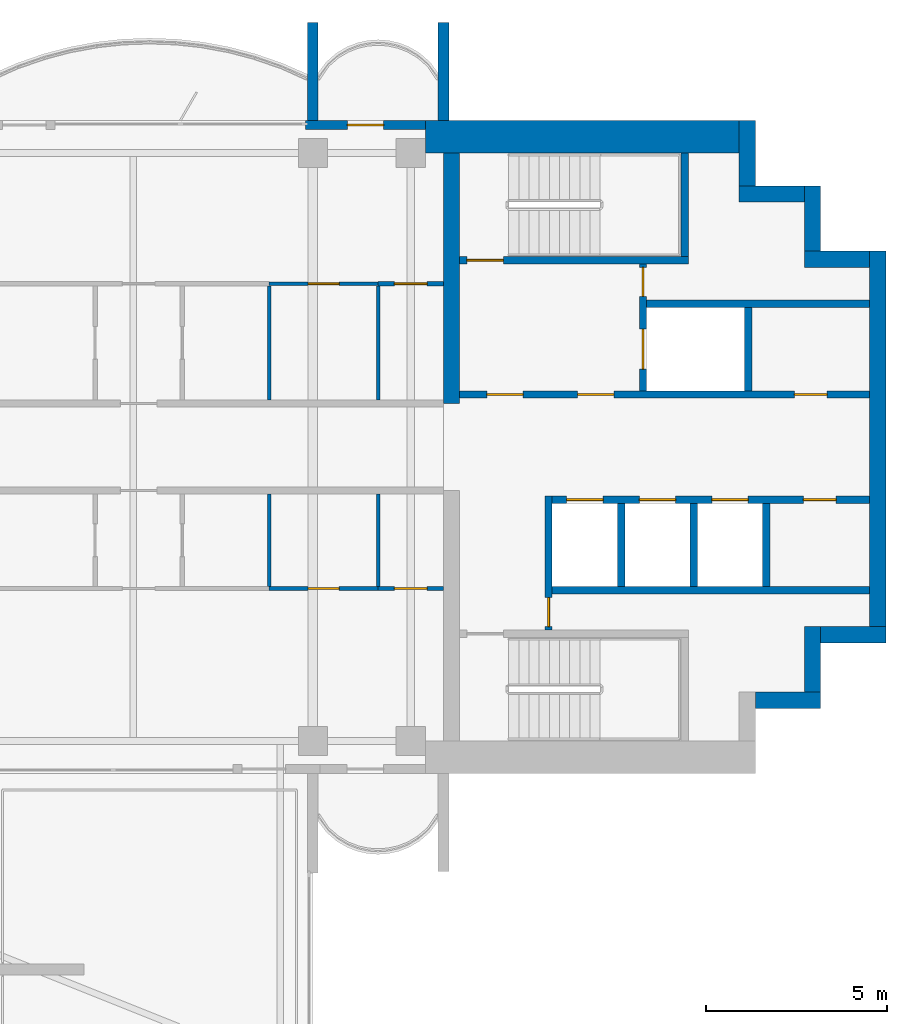
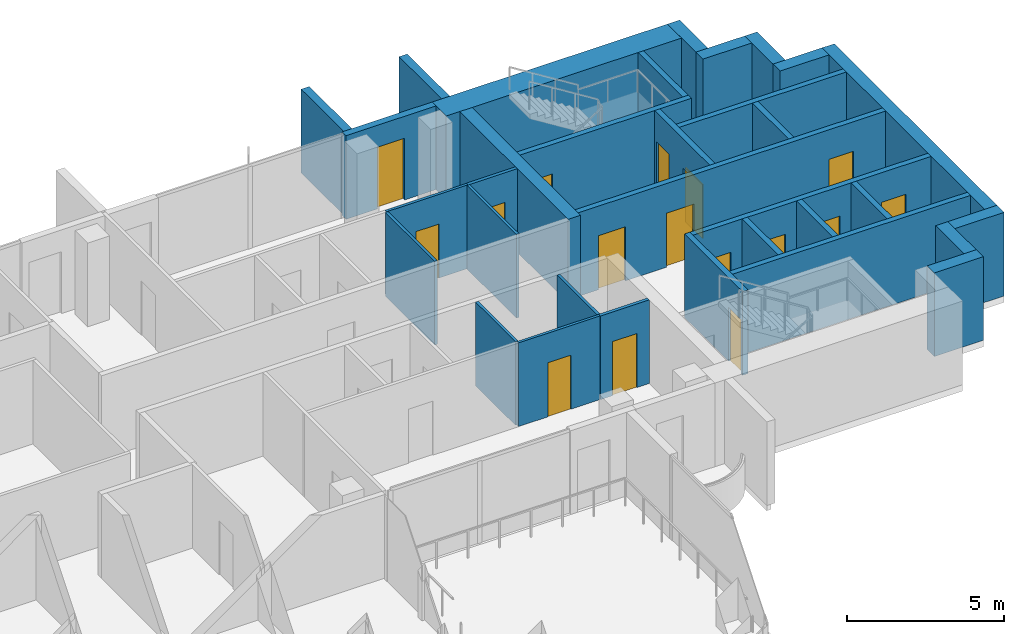
# One storey, part 11 of 16: 33 walls, 16 doors, 16 openings.
"""IFC4 building model written with IfcOpenShell, lengths in metres."""

from ifc_helpers import new_model, si_unit, direction, frame, frame_2d, origin, place, context, subcontext, project, spatial, rectangle, extrude, material, layer, layer_set, type_object, element, fill, save


model = new_model("IFC4")

# Units and contexts
model_context = context("Model", 3, precision=1e-05, world=origin(), true_north=direction((0.0, 1.0)))
body_context = subcontext(model_context, "Body", "Model", "MODEL_VIEW")
ifc_project = project(units=[si_unit("LENGTHUNIT", "METRE"), si_unit("AREAUNIT", "SQUARE_METRE"), si_unit("VOLUMEUNIT", "CUBIC_METRE"), si_unit("PLANEANGLEUNIT", "RADIAN"), si_unit("MASSUNIT", "GRAM", prefix="KILO")], contexts=[model_context])

# Site, building, storey
site_placement = place(None, origin())
site = spatial("IfcSite", under=ifc_project, at=site_placement, CompositionType="ELEMENT")
building_placement = place(site_placement, origin())
building = spatial("IfcBuilding", under=site, at=building_placement, Name="Perihelion Cross Residences", CompositionType="ELEMENT")
storey_placement = place(building_placement, frame((0.0, 0.0, 246.5)))
storey = spatial("IfcBuildingStorey", under=building, at=storey_placement, Name="L62", CompositionType="ELEMENT", Elevation=246.5)

# Wall, opening, door
ifc_material_1 = material(Name="Concrete C30/37, bronze-clad", Category="concrete")
ifc_layer_1 = layer(ifc_material_1, 0.25)
ifc_layer_set_1 = layer_set([ifc_layer_1], Name="Bronze-clad pier wall 250")
wall_type_1 = type_object("IfcWallType", Name="Bronze-clad pier wall 250", PredefinedType="SOLIDWALL", material=ifc_layer_set_1)
wall_1_placement = place(storey_placement, frame((21.10009765625, 8.875, 0.0), z_axis=(0.0, 0.0, 1.0), x_axis=(-1.0, 0.0, 0.0)))
wall_1 = element("IfcWall", 1, at=wall_1_placement, inside=storey, type_object=wall_type_1, Name="Wall FW1 L62 east side north bay 1 pier", PredefinedType="SOLIDWALL", context=body_context, shape_type="SweptSolid", body=[
    extrude(rectangle(XDim=3.300048828125, YDim=0.25, at=frame_2d((1.64990234375, 0.0))), origin(), (0.0, 0.0, 1.0), 3.25),
])
opening_1_placement = place(wall_1_placement, frame((1.14990234375, 0.0, 0.0)))
opening_1 = element("IfcOpeningElement", 2, at=opening_1_placement, cuts=wall_1, Name="Opening L62.E01", PredefinedType="OPENING", context=body_context, shape_type="SweptSolid", body=[
    extrude(rectangle(XDim=1.0, YDim=2.39990234375, at=frame_2d((0.5, 1.199951171875))), frame((0.0, 0.135009765625, 0.0), z_axis=(0.0, -1.0, 0.0), x_axis=(1.0, 0.0, 0.0)), (0.0, 0.0, 1.0), 0.27001953125),
])
ifc_material_2 = material(Name="Bronze anodised aluminium, glazed", Category="aluminium")
door_type_1 = type_object("IfcDoorType", Name="Balcony door 1000 x 2400", OperationType="NOTDEFINED", PredefinedType="DOOR", material=ifc_material_2)
door_1_placement = place(opening_1_placement, origin())
door_1 = element("IfcDoor", 3, at=door_1_placement, inside=storey, type_object=door_type_1, Name="Door L62.E01 east side north bay 1", OperationType="SINGLE_SWING_LEFT", OverallHeight=2.39990234375, OverallWidth=1.0, PredefinedType="DOOR", context=body_context, shape_type="SweptSolid", body=[
    extrude(rectangle(XDim=1.0, YDim=2.39990234375, at=frame_2d((0.5, 1.199951171875))), frame((0.0, 0.02490234375, 0.0), z_axis=(0.0, -1.0, 0.0), x_axis=(1.0, 0.0, 0.0)), (0.0, 0.0, 1.0), 0.050048828125),
])
fill(opening_1, door_1)

# Walls
ifc_material_3 = material(Name="Concrete C60/75", Category="concrete")
ifc_layer_2 = layer(ifc_material_3, 0.449951171875)
ifc_layer_set_2 = layer_set([ifc_layer_2], Name="Core wall, inner 450")
wall_type_2 = type_object("IfcWallType", Name="Core wall, inner 450", PredefinedType="SHEAR", material=ifc_layer_set_2)
wall_2_placement = place(storey_placement, frame((21.824951171875, 1.199951171875, 0.0), z_axis=(0.0, 0.0, 1.0), x_axis=(0.0, 1.0, 0.0)))
element("IfcWall", 4, at=wall_2_placement, inside=storey, type_object=wall_type_2, Name="East core core wall, inner", PredefinedType="SHEAR", context=body_context, shape_type="SweptSolid", body=[
    extrude(rectangle(XDim=6.900146484375, YDim=0.449951171875, at=frame_2d((3.4501953125, 0.0))), origin(), (0.0, 0.0, 1.0), 3.25),
])
ifc_material_4 = material(Name="Concrete C60/75", Category="concrete")
ifc_layer_3 = layer(ifc_material_4, 0.449951171875)
ifc_layer_set_3 = layer_set([ifc_layer_3], Name="Core wall, outer 450")
wall_type_3 = type_object("IfcWallType", Name="Core wall, outer 450", PredefinedType="SHEAR", material=ifc_layer_set_3)
for number, where, z_axis, x_axis, name in (
    (5, (30.199951171875, -6.97509765625, 0.0), (0.0, 0.0, 1.0), (1.0, 0.0, 0.0), "East core core wall, outer"),
    (6, (31.77490234375, -6.75, 0.0), (0.0, 0.0, 1.0), (0.0, 1.0, 0.0), "East core core wall, outer"),
    (7, (32.0, -5.175048828125, 0.0), (0.0, 0.0, 1.0), (1.0, 0.0, 0.0), "East core core wall, outer"),
):
    element("IfcWall", number, at=place(storey_placement, frame(where, z_axis=z_axis, x_axis=x_axis)), inside=storey, type_object=wall_type_3, Name=name, PredefinedType="SHEAR", context=body_context, shape_type="SweptSolid", body=[
        extrude(rectangle(XDim=1.800048828125, YDim=0.449951171875, at=frame_2d((0.89990234375, 0.0))), origin(), (0.0, 0.0, 1.0), 3.25),
    ])
wall_3_placement = place(storey_placement, frame((33.574951171875, -4.949951171875, 0.0), z_axis=(0.0, 0.0, 1.0), x_axis=(0.0, 1.0, 0.0)))
element("IfcWall", 8, at=wall_3_placement, inside=storey, type_object=wall_type_3, Name="East core core wall, outer", PredefinedType="SHEAR", context=body_context, shape_type="SweptSolid", body=[
    extrude(rectangle(XDim=10.349853515625, YDim=0.449951171875, at=frame_2d((5.1748046875, 0.0))), origin(), (0.0, 0.0, 1.0), 3.25),
])
for number, where, z_axis, x_axis, name in (
    (9, (31.550048828125, 5.175048828125, 0.0), (0.0, 0.0, 1.0), (1.0, 0.0, 0.0), "East core core wall, outer"),
    (10, (31.77490234375, 5.39990234375, 0.0), (0.0, 0.0, 1.0), (0.0, 1.0, 0.0), "East core core wall, outer"),
    (11, (29.75, 6.97509765625, 0.0), (0.0, 0.0, 1.0), (1.0, 0.0, 0.0), "East core core wall, outer"),
    (12, (29.97509765625, 7.199951171875, 0.0), (0.0, 0.0, 1.0), (0.0, 1.0, 0.0), "East core core wall, outer"),
):
    element("IfcWall", number, at=place(storey_placement, frame(where, z_axis=z_axis, x_axis=x_axis)), inside=storey, type_object=wall_type_3, Name=name, PredefinedType="SHEAR", context=body_context, shape_type="SweptSolid", body=[
        extrude(rectangle(XDim=1.800048828125, YDim=0.449951171875, at=frame_2d((0.89990234375, 0.0))), origin(), (0.0, 0.0, 1.0), 3.25),
    ])
ifc_material_5 = material(Name="Concrete C60/75", Category="concrete")
ifc_layer_4 = layer(ifc_material_5, 0.89990234375)
ifc_layer_set_4 = layer_set([ifc_layer_4], Name="Core wall, outer 900")
wall_type_4 = type_object("IfcWallType", Name="Core wall, outer 900", PredefinedType="SHEAR", material=ifc_layer_set_4)
wall_4_placement = place(storey_placement, frame((21.10009765625, 8.550048828125, 0.0), z_axis=(0.0, 0.0, 1.0), x_axis=(1.0, 0.0, 0.0)))
element("IfcWall", 13, at=wall_4_placement, inside=storey, type_object=wall_type_4, Name="East core core wall, outer", PredefinedType="SHEAR", context=body_context, shape_type="SweptSolid", body=[
    extrude(rectangle(XDim=8.64990234375, YDim=0.89990234375, at=frame_2d((4.324951171875, 0.0))), origin(), (0.0, 0.0, 1.0), 3.25),
])

# Wall, opening, door
ifc_material_6 = material(Name="Concrete C50/60", Category="concrete")
ifc_layer_5 = layer(ifc_material_6, 0.199951171875)
ifc_layer_set_5 = layer_set([ifc_layer_5], Name="Lobby wall 200")
wall_type_5 = type_object("IfcWallType", Name="Lobby wall 200", PredefinedType="SOLIDWALL", material=ifc_layer_set_5)
wall_5_placement = place(storey_placement, frame((24.5, -5.050048828125, 0.0), z_axis=(0.0, 0.0, 1.0), x_axis=(0.0, 1.0, 0.0)))
wall_5 = element("IfcWall", 14, at=wall_5_placement, inside=storey, type_object=wall_type_5, Name="East core lobby wall", PredefinedType="SOLIDWALL", context=body_context, shape_type="SweptSolid", body=[
    extrude(rectangle(XDim=3.699951171875, YDim=0.199951171875, at=frame_2d((1.85009765625, 0.0))), origin(), (0.0, 0.0, 1.0), 3.25),
])
opening_2_placement = place(wall_5_placement, frame((0.10009765625, 0.0, 0.0)))
opening_2 = element("IfcOpeningElement", 15, at=opening_2_placement, cuts=wall_5, Name="Opening L62.C08", PredefinedType="OPENING", context=body_context, shape_type="SweptSolid", body=[
    extrude(rectangle(XDim=0.800048828125, YDim=2.10009765625, at=frame_2d((0.39990234375, 1.050048828125))), frame((0.0, 0.10986328125, 0.0), z_axis=(0.0, -1.0, 0.0), x_axis=(1.0, 0.0, 0.0)), (0.0, 0.0, 1.0), 0.219970703125),
])
ifc_material_7 = material(Name="Steel, powder coated", Category="steel")
door_type_2 = type_object("IfcDoorType", Name="Riser door 800", OperationType="SINGLE_SWING_LEFT", PredefinedType="DOOR", material=ifc_material_7)
door_2_placement = place(opening_2_placement, origin())
door_2 = element("IfcDoor", 16, at=door_2_placement, inside=storey, type_object=door_type_2, Name="East core riser door", OperationType="SINGLE_SWING_LEFT", OverallHeight=2.10009765625, OverallWidth=0.800048828125, PredefinedType="DOOR", context=body_context, shape_type="SweptSolid", body=[
    extrude(rectangle(XDim=0.800048828125, YDim=2.10009765625, at=frame_2d((0.39990234375, 1.050048828125))), frame((0.0, 0.02490234375, 0.0), z_axis=(0.0, -1.0, 0.0), x_axis=(1.0, 0.0, 0.0)), (0.0, 0.0, 1.0), 0.050048828125),
])
fill(opening_2, door_2)

ifc_material_8 = material(Name="Plasterboard partition")
ifc_layer_6 = layer(ifc_material_8, 0.1201171875)
ifc_layer_set_6 = layer_set([ifc_layer_6], Name="Partition wall 120")
wall_type_6 = type_object("IfcWallType", Name="Partition wall 120", PredefinedType="PARTITIONING", material=ifc_layer_set_6)
wall_6_placement = place(storey_placement, frame((19.800048828125, 4.5, 0.0), z_axis=(0.0, 0.0, 1.0), x_axis=(1.0, 0.0, 0.0)))
wall_6 = element("IfcWall", 17, at=wall_6_placement, inside=storey, type_object=wall_type_6, Name="Partition L62 W029", PredefinedType="PARTITIONING", context=body_context, shape_type="SweptSolid", body=[
    extrude(rectangle(XDim=1.800048828125, YDim=0.1201171875, at=frame_2d((0.89990234375, 0.0))), origin(), (0.0, 0.0, 1.0), 3.25),
])
opening_3_placement = place(wall_6_placement, frame((0.449951171875, 0.0, 0.0)))
opening_3 = element("IfcOpeningElement", 18, at=opening_3_placement, cuts=wall_6, Name="Opening L62.A05", PredefinedType="OPENING", context=body_context, shape_type="SweptSolid", body=[
    extrude(rectangle(XDim=0.89990234375, YDim=2.10009765625, at=frame_2d((0.449951171875, 1.050048828125))), frame((0.0, 0.070068359375, 0.0), z_axis=(0.0, -1.0, 0.0), x_axis=(1.0, 0.0, 0.0)), (0.0, 0.0, 1.0), 0.14013671875),
])
ifc_material_9 = material(Name="Timber door leaf", Category="wood")
door_type_3 = type_object("IfcDoorType", Name="Interior room door 900 x 2100", OperationType="SINGLE_SWING_LEFT", PredefinedType="DOOR", material=ifc_material_9)
door_3_placement = place(opening_3_placement, origin())
door_3 = element("IfcDoor", 19, at=door_3_placement, inside=storey, type_object=door_type_3, Name="Door L62.A05", OperationType="SINGLE_SWING_LEFT", OverallHeight=2.10009765625, OverallWidth=0.89990234375, PredefinedType="DOOR", context=body_context, shape_type="SweptSolid", body=[
    extrude(rectangle(XDim=0.89990234375, YDim=2.10009765625, at=frame_2d((0.449951171875, 1.050048828125))), frame((0.0, 0.02490234375, 0.0), z_axis=(0.0, -1.0, 0.0), x_axis=(1.0, 0.0, 0.0)), (0.0, 0.0, 1.0), 0.050048828125),
])
fill(opening_3, door_3)

wall_7_placement = place(storey_placement, frame((21.60009765625, -3.89990234375, 0.0), z_axis=(0.0, 0.0, 1.0), x_axis=(-1.0, 0.0, 0.0)))
wall_7 = element("IfcWall", 20, at=wall_7_placement, inside=storey, type_object=wall_type_6, Name="Partition L62 W038", PredefinedType="PARTITIONING", context=body_context, shape_type="SweptSolid", body=[
    extrude(rectangle(XDim=1.800048828125, YDim=0.1201171875, at=frame_2d((0.89990234375, 0.0))), origin(), (0.0, 0.0, 1.0), 3.25),
])
opening_4_placement = place(wall_7_placement, frame((0.449951171875, 0.0, 0.0)))
opening_4 = element("IfcOpeningElement", 21, at=opening_4_placement, cuts=wall_7, Name="Opening L62.A12", PredefinedType="OPENING", context=body_context, shape_type="SweptSolid", body=[
    extrude(rectangle(XDim=0.89990234375, YDim=2.10009765625, at=frame_2d((0.449951171875, 1.050048828125))), frame((0.0, 0.070068359375, 0.0), z_axis=(0.0, -1.0, 0.0), x_axis=(1.0, 0.0, 0.0)), (0.0, 0.0, 1.0), 0.14013671875),
])
door_4_placement = place(opening_4_placement, origin())
door_4 = element("IfcDoor", 22, at=door_4_placement, inside=storey, type_object=door_type_3, Name="Door L62.A12", OperationType="SINGLE_SWING_LEFT", OverallHeight=2.10009765625, OverallWidth=0.89990234375, PredefinedType="DOOR", context=body_context, shape_type="SweptSolid", body=[
    extrude(rectangle(XDim=0.89990234375, YDim=2.10009765625, at=frame_2d((0.449951171875, 1.050048828125))), frame((0.0, 0.02490234375, 0.0), z_axis=(0.0, -1.0, 0.0), x_axis=(1.0, 0.0, 0.0)), (0.0, 0.0, 1.0), 0.050048828125),
])
fill(opening_4, door_4)

# Walls
ifc_material_10 = material(Name="Precast concrete C50/60", Category="concrete")
ifc_layer_7 = layer(ifc_material_10, 0.300048828125)
ifc_layer_set_7 = layer_set([ifc_layer_7], Name="Precast concrete C50/60 blade wall 300")
wall_type_7 = type_object("IfcWallType", Name="Precast concrete C50/60 blade wall 300", PredefinedType="SOLIDWALL", material=ifc_layer_set_7)
for number, where, z_axis, x_axis, name in (
    (23, (18.0, 9.0, 0.0), (0.0, 0.0, 1.0), (0.0, 1.0, 0.0), "Wall BL1 L62 no. 11"),
    (24, (21.60009765625, 9.0, 0.0), (0.0, 0.0, 1.0), (0.0, 1.0, 0.0), "Wall BL1 L62 no. 13"),
):
    element("IfcWall", number, at=place(storey_placement, frame(where, z_axis=z_axis, x_axis=x_axis)), inside=storey, type_object=wall_type_7, Name=name, PredefinedType="SOLIDWALL", context=body_context, shape_type="SweptSolid", body=[
        extrude(rectangle(XDim=2.699951171875, YDim=0.300048828125, at=frame_2d((1.35009765625, 0.0))), origin(), (0.0, 0.0, 1.0), 3.25),
    ])

# Wall, openings, doors
ifc_material_11 = material(Name="Concrete C50/60", Category="concrete")
ifc_layer_8 = layer(ifc_material_11, 0.199951171875)
ifc_layer_set_8 = layer_set([ifc_layer_8], Name="Shaft wall 200")
wall_type_8 = type_object("IfcWallType", Name="Shaft wall 200", PredefinedType="SOLIDWALL", material=ifc_layer_set_8)
wall_8_placement = place(storey_placement, frame((22.050048828125, 1.449951171875, 0.0), z_axis=(0.0, 0.0, 1.0), x_axis=(1.0, 0.0, 0.0)))
wall_8 = element("IfcWall", 25, at=wall_8_placement, inside=storey, type_object=wall_type_8, Name="East core shaft wall", PredefinedType="SOLIDWALL", context=body_context, shape_type="SweptSolid", body=[
    extrude(rectangle(XDim=11.300048828125, YDim=0.199951171875, at=frame_2d((5.64990234375, 0.0))), origin(), (0.0, 0.0, 1.0), 3.25),
])
opening_5_placement = place(wall_8_placement, frame((0.75, 0.0, 0.0)))
opening_5 = element("IfcOpeningElement", 26, at=opening_5_placement, cuts=wall_8, Name="Opening L62.C07", PredefinedType="OPENING", context=body_context, shape_type="SweptSolid", body=[
    extrude(rectangle(XDim=1.0, YDim=2.10009765625, at=frame_2d((0.5, 1.050048828125))), frame((0.0, 0.10986328125, 0.0), z_axis=(0.0, -1.0, 0.0), x_axis=(1.0, 0.0, 0.0)), (0.0, 0.0, 1.0), 0.219970703125),
])
opening_6_placement = place(wall_8_placement, frame((3.25, 0.0, 0.0)))
opening_6 = element("IfcOpeningElement", 27, at=opening_6_placement, cuts=wall_8, Name="Opening L62.C09", PredefinedType="OPENING", context=body_context, shape_type="SweptSolid", body=[
    extrude(rectangle(XDim=1.0, YDim=2.10009765625, at=frame_2d((0.5, 1.050048828125))), frame((0.0, 0.10986328125, 0.0), z_axis=(0.0, -1.0, 0.0), x_axis=(1.0, 0.0, 0.0)), (0.0, 0.0, 1.0), 0.219970703125),
])
opening_7_placement = place(wall_8_placement, frame((9.22509765625, 0.0, 0.0)))
opening_7 = element("IfcOpeningElement", 28, at=opening_7_placement, cuts=wall_8, Name="Opening L62.C11", PredefinedType="OPENING", context=body_context, shape_type="SweptSolid", body=[
    extrude(rectangle(XDim=0.89990234375, YDim=2.10009765625, at=frame_2d((0.449951171875, 1.050048828125))), frame((0.0, 0.10986328125, 0.0), z_axis=(0.0, -1.0, 0.0), x_axis=(1.0, 0.0, 0.0)), (0.0, 0.0, 1.0), 0.219970703125),
])
ifc_material_12 = material(Name="Steel, powder coated", Category="steel")
door_type_4 = type_object("IfcDoorType", Name="Lobby door 1000", OperationType="SINGLE_SWING_LEFT", PredefinedType="DOOR", material=ifc_material_12)
door_5_placement = place(opening_5_placement, origin())
door_5 = element("IfcDoor", 29, at=door_5_placement, inside=storey, type_object=door_type_4, Name="East core firefighting lobby door", OperationType="SINGLE_SWING_LEFT", OverallHeight=2.10009765625, OverallWidth=1.0, PredefinedType="DOOR", context=body_context, shape_type="SweptSolid", body=[
    extrude(rectangle(XDim=1.0, YDim=2.10009765625, at=frame_2d((0.5, 1.050048828125))), frame((0.0, 0.02490234375, 0.0), z_axis=(0.0, -1.0, 0.0), x_axis=(1.0, 0.0, 0.0)), (0.0, 0.0, 1.0), 0.050048828125),
])
fill(opening_5, door_5)
door_6_placement = place(opening_6_placement, origin())
door_6 = element("IfcDoor", 30, at=door_6_placement, inside=storey, type_object=door_type_4, Name="East core firefighting lobby door", OperationType="SINGLE_SWING_LEFT", OverallHeight=2.10009765625, OverallWidth=1.0, PredefinedType="DOOR", context=body_context, shape_type="SweptSolid", body=[
    extrude(rectangle(XDim=1.0, YDim=2.10009765625, at=frame_2d((0.5, 1.050048828125))), frame((0.0, 0.02490234375, 0.0), z_axis=(0.0, -1.0, 0.0), x_axis=(1.0, 0.0, 0.0)), (0.0, 0.0, 1.0), 0.050048828125),
])
fill(opening_6, door_6)
ifc_material_13 = material(Name="Steel, powder coated", Category="steel")
door_type_5 = type_object("IfcDoorType", Name="Service room door 900", OperationType="SINGLE_SWING_LEFT", PredefinedType="DOOR", material=ifc_material_13)
door_7_placement = place(opening_7_placement, origin())
door_7 = element("IfcDoor", 31, at=door_7_placement, inside=storey, type_object=door_type_5, Name="East core service room door", OperationType="SINGLE_SWING_LEFT", OverallHeight=2.10009765625, OverallWidth=0.89990234375, PredefinedType="DOOR", context=body_context, shape_type="SweptSolid", body=[
    extrude(rectangle(XDim=0.89990234375, YDim=2.10009765625, at=frame_2d((0.449951171875, 1.050048828125))), frame((0.0, 0.02490234375, 0.0), z_axis=(0.0, -1.0, 0.0), x_axis=(1.0, 0.0, 0.0)), (0.0, 0.0, 1.0), 0.050048828125),
])
fill(opening_7, door_7)

wall_9_placement = place(storey_placement, frame((24.60009765625, -1.449951171875, 0.0), z_axis=(0.0, 0.0, 1.0), x_axis=(1.0, 0.0, 0.0)))
wall_9 = element("IfcWall", 32, at=wall_9_placement, inside=storey, type_object=wall_type_8, Name="East core shaft wall", PredefinedType="SOLIDWALL", context=body_context, shape_type="SweptSolid", body=[
    extrude(rectangle(XDim=8.75, YDim=0.199951171875, at=frame_2d((4.375, 0.0))), origin(), (0.0, 0.0, 1.0), 3.25),
])
opening_8_placement = place(wall_9_placement, frame((0.39990234375, 0.0, 0.0)))
opening_8 = element("IfcOpeningElement", 33, at=opening_8_placement, cuts=wall_9, Name="Opening L62.C01", PredefinedType="OPENING", context=body_context, shape_type="SweptSolid", body=[
    extrude(rectangle(XDim=1.0, YDim=2.10009765625, at=frame_2d((0.5, 1.050048828125))), frame((0.0, 0.10986328125, 0.0), z_axis=(0.0, -1.0, 0.0), x_axis=(1.0, 0.0, 0.0)), (0.0, 0.0, 1.0), 0.219970703125),
])
opening_9_placement = place(wall_9_placement, frame((2.39990234375, 0.0, 0.0)))
opening_9 = element("IfcOpeningElement", 34, at=opening_9_placement, cuts=wall_9, Name="Opening L62.C03", PredefinedType="OPENING", context=body_context, shape_type="SweptSolid", body=[
    extrude(rectangle(XDim=1.0, YDim=2.10009765625, at=frame_2d((0.5, 1.050048828125))), frame((0.0, 0.10986328125, 0.0), z_axis=(0.0, -1.0, 0.0), x_axis=(1.0, 0.0, 0.0)), (0.0, 0.0, 1.0), 0.219970703125),
])
opening_10_placement = place(wall_9_placement, frame((4.39990234375, 0.0, 0.0)))
opening_10 = element("IfcOpeningElement", 35, at=opening_10_placement, cuts=wall_9, Name="Opening L62.C04", PredefinedType="OPENING", context=body_context, shape_type="SweptSolid", body=[
    extrude(rectangle(XDim=1.0, YDim=2.10009765625, at=frame_2d((0.5, 1.050048828125))), frame((0.0, 0.10986328125, 0.0), z_axis=(0.0, -1.0, 0.0), x_axis=(1.0, 0.0, 0.0)), (0.0, 0.0, 1.0), 0.219970703125),
])
opening_11_placement = place(wall_9_placement, frame((6.925048828125, 0.0, 0.0)))
opening_11 = element("IfcOpeningElement", 36, at=opening_11_placement, cuts=wall_9, Name="Opening L62.C12", PredefinedType="OPENING", context=body_context, shape_type="SweptSolid", body=[
    extrude(rectangle(XDim=0.89990234375, YDim=2.10009765625, at=frame_2d((0.449951171875, 1.050048828125))), frame((0.0, 0.10986328125, 0.0), z_axis=(0.0, -1.0, 0.0), x_axis=(1.0, 0.0, 0.0)), (0.0, 0.0, 1.0), 0.219970703125),
])
ifc_material_14 = material(Name="Stainless steel", Category="steel")
door_type_6 = type_object("IfcDoorType", Name="Landing door 1000", OperationType="DOUBLE_DOOR_SLIDING", PredefinedType="DOOR", material=ifc_material_14)
door_8_placement = place(opening_8_placement, origin())
door_8 = element("IfcDoor", 37, at=door_8_placement, inside=storey, type_object=door_type_6, Name="Landing door, East core high-rise lift 1", OperationType="DOUBLE_DOOR_SLIDING", OverallHeight=2.10009765625, OverallWidth=1.0, PredefinedType="DOOR", context=body_context, shape_type="SweptSolid", body=[
    extrude(rectangle(XDim=1.0, YDim=2.10009765625, at=frame_2d((0.5, 1.050048828125))), frame((0.0, 0.02490234375, 0.0), z_axis=(0.0, -1.0, 0.0), x_axis=(1.0, 0.0, 0.0)), (0.0, 0.0, 1.0), 0.050048828125),
])
fill(opening_8, door_8)
door_9_placement = place(opening_9_placement, origin())
door_9 = element("IfcDoor", 38, at=door_9_placement, inside=storey, type_object=door_type_6, Name="Landing door, East core high-rise lift 2", OperationType="DOUBLE_DOOR_SLIDING", OverallHeight=2.10009765625, OverallWidth=1.0, PredefinedType="DOOR", context=body_context, shape_type="SweptSolid", body=[
    extrude(rectangle(XDim=1.0, YDim=2.10009765625, at=frame_2d((0.5, 1.050048828125))), frame((0.0, 0.02490234375, 0.0), z_axis=(0.0, -1.0, 0.0), x_axis=(1.0, 0.0, 0.0)), (0.0, 0.0, 1.0), 0.050048828125),
])
fill(opening_9, door_9)
door_10_placement = place(opening_10_placement, origin())
door_10 = element("IfcDoor", 39, at=door_10_placement, inside=storey, type_object=door_type_6, Name="Landing door, East core high-rise lift 3", OperationType="DOUBLE_DOOR_SLIDING", OverallHeight=2.10009765625, OverallWidth=1.0, PredefinedType="DOOR", context=body_context, shape_type="SweptSolid", body=[
    extrude(rectangle(XDim=1.0, YDim=2.10009765625, at=frame_2d((0.5, 1.050048828125))), frame((0.0, 0.02490234375, 0.0), z_axis=(0.0, -1.0, 0.0), x_axis=(1.0, 0.0, 0.0)), (0.0, 0.0, 1.0), 0.050048828125),
])
fill(opening_10, door_10)
door_11_placement = place(opening_11_placement, origin())
door_11 = element("IfcDoor", 40, at=door_11_placement, inside=storey, type_object=door_type_5, Name="East core service room door", OperationType="SINGLE_SWING_LEFT", OverallHeight=2.10009765625, OverallWidth=0.89990234375, PredefinedType="DOOR", context=body_context, shape_type="SweptSolid", body=[
    extrude(rectangle(XDim=0.89990234375, YDim=2.10009765625, at=frame_2d((0.449951171875, 1.050048828125))), frame((0.0, 0.02490234375, 0.0), z_axis=(0.0, -1.0, 0.0), x_axis=(1.0, 0.0, 0.0)), (0.0, 0.0, 1.0), 0.050048828125),
])
fill(opening_11, door_11)

# Walls
wall_10_placement = place(storey_placement, frame((27.199951171875, 3.949951171875, 0.0), z_axis=(0.0, 0.0, 1.0), x_axis=(1.0, 0.0, 0.0)))
element("IfcWall", 41, at=wall_10_placement, inside=storey, type_object=wall_type_8, Name="East core shaft wall", PredefinedType="SOLIDWALL", context=body_context, shape_type="SweptSolid", body=[
    extrude(rectangle(XDim=6.150146484375, YDim=0.199951171875, at=frame_2d((3.0751953125, 0.0))), origin(), (0.0, 0.0, 1.0), 3.25),
])
wall_11_placement = place(storey_placement, frame((24.60009765625, -3.949951171875, 0.0), z_axis=(0.0, 0.0, 1.0), x_axis=(1.0, 0.0, 0.0)))
element("IfcWall", 42, at=wall_11_placement, inside=storey, type_object=wall_type_8, Name="East core shaft wall", PredefinedType="SOLIDWALL", context=body_context, shape_type="SweptSolid", body=[
    extrude(rectangle(XDim=8.75, YDim=0.199951171875, at=frame_2d((4.375, 0.0))), origin(), (0.0, 0.0, 1.0), 3.25),
])

# Wall, openings, doors
wall_12_placement = place(storey_placement, frame((27.10009765625, 1.550048828125, 0.0), z_axis=(0.0, 0.0, 1.0), x_axis=(0.0, 1.0, 0.0)))
wall_12 = element("IfcWall", 43, at=wall_12_placement, inside=storey, type_object=wall_type_8, Name="East core shaft wall", PredefinedType="SOLIDWALL", context=body_context, shape_type="SweptSolid", body=[
    extrude(rectangle(XDim=3.5, YDim=0.199951171875, at=frame_2d((1.75, 0.0))), origin(), (0.0, 0.0, 1.0), 3.25),
])
opening_12_placement = place(wall_12_placement, frame((0.60009765625, 0.0, 0.0)))
opening_12 = element("IfcOpeningElement", 44, at=opening_12_placement, cuts=wall_12, Name="Opening L62.C02", PredefinedType="OPENING", context=body_context, shape_type="SweptSolid", body=[
    extrude(rectangle(XDim=1.10009765625, YDim=2.10009765625, at=frame_2d((0.550048828125, 1.050048828125))), frame((0.0, 0.10986328125, 0.0), z_axis=(0.0, -1.0, 0.0), x_axis=(1.0, 0.0, 0.0)), (0.0, 0.0, 1.0), 0.219970703125),
])
opening_13_placement = place(wall_12_placement, frame((2.60009765625, 0.0, 0.0)))
opening_13 = element("IfcOpeningElement", 45, at=opening_13_placement, cuts=wall_12, Name="Opening L62.C10", PredefinedType="OPENING", context=body_context, shape_type="SweptSolid", body=[
    extrude(rectangle(XDim=0.800048828125, YDim=2.10009765625, at=frame_2d((0.39990234375, 1.050048828125))), frame((0.0, 0.10986328125, 0.0), z_axis=(0.0, -1.0, 0.0), x_axis=(1.0, 0.0, 0.0)), (0.0, 0.0, 1.0), 0.219970703125),
])
ifc_material_15 = material(Name="Stainless steel", Category="steel")
door_type_7 = type_object("IfcDoorType", Name="Landing door, firefighting lift 1100", OperationType="DOUBLE_DOOR_SLIDING", PredefinedType="DOOR", material=ifc_material_15)
door_12_placement = place(opening_12_placement, origin())
door_12 = element("IfcDoor", 46, at=door_12_placement, inside=storey, type_object=door_type_7, Name="Landing door, East core firefighting and service lift", OperationType="DOUBLE_DOOR_SLIDING", OverallHeight=2.10009765625, OverallWidth=1.10009765625, PredefinedType="DOOR", context=body_context, shape_type="SweptSolid", body=[
    extrude(rectangle(XDim=1.10009765625, YDim=2.10009765625, at=frame_2d((0.550048828125, 1.050048828125))), frame((0.0, 0.02490234375, 0.0), z_axis=(0.0, -1.0, 0.0), x_axis=(1.0, 0.0, 0.0)), (0.0, 0.0, 1.0), 0.050048828125),
])
fill(opening_12, door_12)
door_13_placement = place(opening_13_placement, origin())
door_13 = element("IfcDoor", 47, at=door_13_placement, inside=storey, type_object=door_type_2, Name="East core riser door", OperationType="SINGLE_SWING_LEFT", OverallHeight=2.10009765625, OverallWidth=0.800048828125, PredefinedType="DOOR", context=body_context, shape_type="SweptSolid", body=[
    extrude(rectangle(XDim=0.800048828125, YDim=2.10009765625, at=frame_2d((0.39990234375, 1.050048828125))), frame((0.0, 0.02490234375, 0.0), z_axis=(0.0, -1.0, 0.0), x_axis=(1.0, 0.0, 0.0)), (0.0, 0.0, 1.0), 0.050048828125),
])
fill(opening_13, door_13)

# Walls
for number, where, z_axis, x_axis, name in (
    (48, (30.0, 1.550048828125, 0.0), (0.0, 0.0, 1.0), (0.0, 1.0, 0.0), "East core shaft wall"),
    (49, (26.5, -3.85009765625, 0.0), (0.0, 0.0, 1.0), (0.0, 1.0, 0.0), "East core shaft wall"),
    (50, (28.5, -3.85009765625, 0.0), (0.0, 0.0, 1.0), (0.0, 1.0, 0.0), "East core shaft wall"),
    (51, (30.5, -3.85009765625, 0.0), (0.0, 0.0, 1.0), (0.0, 1.0, 0.0), "East core shaft wall"),
):
    element("IfcWall", number, at=place(storey_placement, frame(where, z_axis=z_axis, x_axis=x_axis)), inside=storey, type_object=wall_type_8, Name=name, PredefinedType="SOLIDWALL", context=body_context, shape_type="SweptSolid", body=[
        extrude(rectangle(XDim=2.300048828125, YDim=0.199951171875, at=frame_2d((1.14990234375, 0.0))), origin(), (0.0, 0.0, 1.0), 3.25),
    ])

# Wall, opening, door
ifc_material_16 = material(Name="Concrete C50/60", Category="concrete")
ifc_layer_9 = layer(ifc_material_16, 0.199951171875)
ifc_layer_set_9 = layer_set([ifc_layer_9], Name="Stair wall 200")
wall_type_9 = type_object("IfcWallType", Name="Stair wall 200", PredefinedType="SOLIDWALL", material=ifc_layer_set_9)
wall_13_placement = place(storey_placement, frame((22.050048828125, 5.14990234375, 0.0), z_axis=(0.0, 0.0, 1.0), x_axis=(1.0, 0.0, 0.0)))
wall_13 = element("IfcWall", 52, at=wall_13_placement, inside=storey, type_object=wall_type_9, Name="East core stair wall", PredefinedType="SOLIDWALL", context=body_context, shape_type="SweptSolid", body=[
    extrude(rectangle(XDim=6.300048828125, YDim=0.199951171875, at=frame_2d((3.14990234375, 0.0))), origin(), (0.0, 0.0, 1.0), 3.25),
])
opening_14_placement = place(wall_13_placement, frame((0.199951171875, 0.0, 0.0)))
opening_14 = element("IfcOpeningElement", 53, at=opening_14_placement, cuts=wall_13, Name="Opening L62.C06", PredefinedType="OPENING", context=body_context, shape_type="SweptSolid", body=[
    extrude(rectangle(XDim=1.0, YDim=2.10009765625, at=frame_2d((0.5, 1.050048828125))), frame((0.0, 0.10986328125, 0.0), z_axis=(0.0, -1.0, 0.0), x_axis=(1.0, 0.0, 0.0)), (0.0, 0.0, 1.0), 0.219970703125),
])
ifc_material_17 = material(Name="Steel, powder coated", Category="steel")
door_type_8 = type_object("IfcDoorType", Name="Stair door 1000", OperationType="SINGLE_SWING_LEFT", PredefinedType="DOOR", material=ifc_material_17)
door_14_placement = place(opening_14_placement, origin())
door_14 = element("IfcDoor", 54, at=door_14_placement, inside=storey, type_object=door_type_8, Name="East core stair door", OperationType="SINGLE_SWING_LEFT", OverallHeight=2.10009765625, OverallWidth=1.0, PredefinedType="DOOR", context=body_context, shape_type="SweptSolid", body=[
    extrude(rectangle(XDim=1.0, YDim=2.10009765625, at=frame_2d((0.5, 1.050048828125))), frame((0.0, 0.02490234375, 0.0), z_axis=(0.0, -1.0, 0.0), x_axis=(1.0, 0.0, 0.0)), (0.0, 0.0, 1.0), 0.050048828125),
])
fill(opening_14, door_14)

# Walls
wall_14_placement = place(storey_placement, frame((28.25, 5.25, 0.0), z_axis=(0.0, 0.0, 1.0), x_axis=(0.0, 1.0, 0.0)))
element("IfcWall", 55, at=wall_14_placement, inside=storey, type_object=wall_type_9, Name="East core stair wall", PredefinedType="SOLIDWALL", context=body_context, shape_type="SweptSolid", body=[
    extrude(rectangle(XDim=2.85009765625, YDim=0.199951171875, at=frame_2d((1.425048828125, 0.0))), origin(), (0.0, 0.0, 1.0), 3.25),
])
ifc_material_18 = material(Name="Plasterboard partition")
ifc_layer_10 = layer(ifc_material_18, 0.10009765625)
ifc_layer_set_10 = layer_set([ifc_layer_10], Name="Wet room wall 100")
wall_type_10 = type_object("IfcWallType", Name="Wet room wall 100", PredefinedType="PARTITIONING", material=ifc_layer_set_10)
for number, where, z_axis, x_axis, name in (
    (56, (16.800048828125, 4.43994140625, 0.0), (0.0, 0.0, 1.0), (0.0, -1.0, 0.0), "Partition L62 W026"),
    (57, (19.800048828125, 4.43994140625, 0.0), (0.0, 0.0, 1.0), (0.0, -1.0, 0.0), "Partition L62 W027"),
):
    element("IfcWall", number, at=place(storey_placement, frame(where, z_axis=z_axis, x_axis=x_axis)), inside=storey, type_object=wall_type_10, Name=name, PredefinedType="PARTITIONING", context=body_context, shape_type="SweptSolid", body=[
        extrude(rectangle(XDim=3.139892578125, YDim=0.10009765625, at=frame_2d((1.56982421875, 0.0))), origin(), (0.0, 0.0, 1.0), 3.25),
    ])

# Wall, opening, door
wall_15_placement = place(storey_placement, frame((16.800048828125, 4.5, 0.0), z_axis=(0.0, 0.0, 1.0), x_axis=(1.0, 0.0, 0.0)))
wall_15 = element("IfcWall", 58, at=wall_15_placement, inside=storey, type_object=wall_type_10, Name="Partition L62 W028", PredefinedType="PARTITIONING", context=body_context, shape_type="SweptSolid", body=[
    extrude(rectangle(XDim=3.0, YDim=0.10009765625, at=frame_2d((1.5, 0.0))), origin(), (0.0, 0.0, 1.0), 3.25),
])
opening_15_placement = place(wall_15_placement, frame((1.074951171875, 0.0, 0.0)))
opening_15 = element("IfcOpeningElement", 59, at=opening_15_placement, cuts=wall_15, Name="Opening L62.A02", PredefinedType="OPENING", context=body_context, shape_type="SweptSolid", body=[
    extrude(rectangle(XDim=0.85009765625, YDim=2.10009765625, at=frame_2d((0.425048828125, 1.050048828125))), frame((0.0, 0.06005859375, 0.0), z_axis=(0.0, -1.0, 0.0), x_axis=(1.0, 0.0, 0.0)), (0.0, 0.0, 1.0), 0.1201171875),
])
ifc_material_19 = material(Name="Timber door leaf", Category="wood")
door_type_9 = type_object("IfcDoorType", Name="Interior bathroom door 850 x 2100", OperationType="SINGLE_SWING_LEFT", PredefinedType="DOOR", material=ifc_material_19)
door_15_placement = place(opening_15_placement, origin())
door_15 = element("IfcDoor", 60, at=door_15_placement, inside=storey, type_object=door_type_9, Name="Door L62.A02", OperationType="SINGLE_SWING_RIGHT", OverallHeight=2.10009765625, OverallWidth=0.85009765625, PredefinedType="DOOR", context=body_context, shape_type="SweptSolid", body=[
    extrude(rectangle(XDim=0.85009765625, YDim=2.10009765625, at=frame_2d((0.425048828125, 1.050048828125))), frame((0.0, 0.02490234375, 0.0), z_axis=(0.0, -1.0, 0.0), x_axis=(1.0, 0.0, 0.0)), (0.0, 0.0, 1.0), 0.050048828125),
])
fill(opening_15, door_15)

# Walls
for number, where, z_axis, x_axis, name in (
    (61, (16.800048828125, -1.300048828125, 0.0), (0.0, 0.0, 1.0), (0.0, -1.0, 0.0), "Partition L62 W035"),
    (62, (19.800048828125, -1.300048828125, 0.0), (0.0, 0.0, 1.0), (0.0, -1.0, 0.0), "Partition L62 W036"),
):
    element("IfcWall", number, at=place(storey_placement, frame(where, z_axis=z_axis, x_axis=x_axis)), inside=storey, type_object=wall_type_10, Name=name, PredefinedType="PARTITIONING", context=body_context, shape_type="SweptSolid", body=[
        extrude(rectangle(XDim=2.5400390625, YDim=0.10009765625, at=frame_2d((1.27001953125, 0.0))), origin(), (0.0, 0.0, 1.0), 3.25),
    ])

# Wall, opening, door
wall_16_placement = place(storey_placement, frame((19.800048828125, -3.89990234375, 0.0), z_axis=(0.0, 0.0, 1.0), x_axis=(-1.0, 0.0, 0.0)))
wall_16 = element("IfcWall", 63, at=wall_16_placement, inside=storey, type_object=wall_type_10, Name="Partition L62 W037", PredefinedType="PARTITIONING", context=body_context, shape_type="SweptSolid", body=[
    extrude(rectangle(XDim=3.0, YDim=0.10009765625, at=frame_2d((1.5, 0.0))), origin(), (0.0, 0.0, 1.0), 3.25),
])
opening_16_placement = place(wall_16_placement, frame((1.074951171875, 0.0, 0.0)))
opening_16 = element("IfcOpeningElement", 64, at=opening_16_placement, cuts=wall_16, Name="Opening L62.A09", PredefinedType="OPENING", context=body_context, shape_type="SweptSolid", body=[
    extrude(rectangle(XDim=0.85009765625, YDim=2.10009765625, at=frame_2d((0.425048828125, 1.050048828125))), frame((0.0, 0.06005859375, 0.0), z_axis=(0.0, -1.0, 0.0), x_axis=(1.0, 0.0, 0.0)), (0.0, 0.0, 1.0), 0.1201171875),
])
door_16_placement = place(opening_16_placement, origin())
door_16 = element("IfcDoor", 65, at=door_16_placement, inside=storey, type_object=door_type_9, Name="Door L62.A09", OperationType="SINGLE_SWING_RIGHT", OverallHeight=2.10009765625, OverallWidth=0.85009765625, PredefinedType="DOOR", context=body_context, shape_type="SweptSolid", body=[
    extrude(rectangle(XDim=0.85009765625, YDim=2.10009765625, at=frame_2d((0.425048828125, 1.050048828125))), frame((0.0, 0.02490234375, 0.0), z_axis=(0.0, -1.0, 0.0), x_axis=(1.0, 0.0, 0.0)), (0.0, 0.0, 1.0), 0.050048828125),
])
fill(opening_16, door_16)

save(model, "model.ifc")
